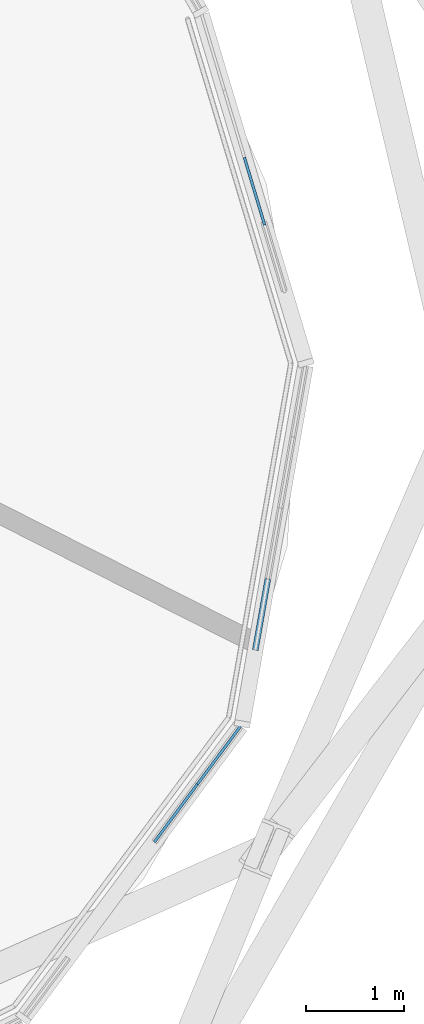
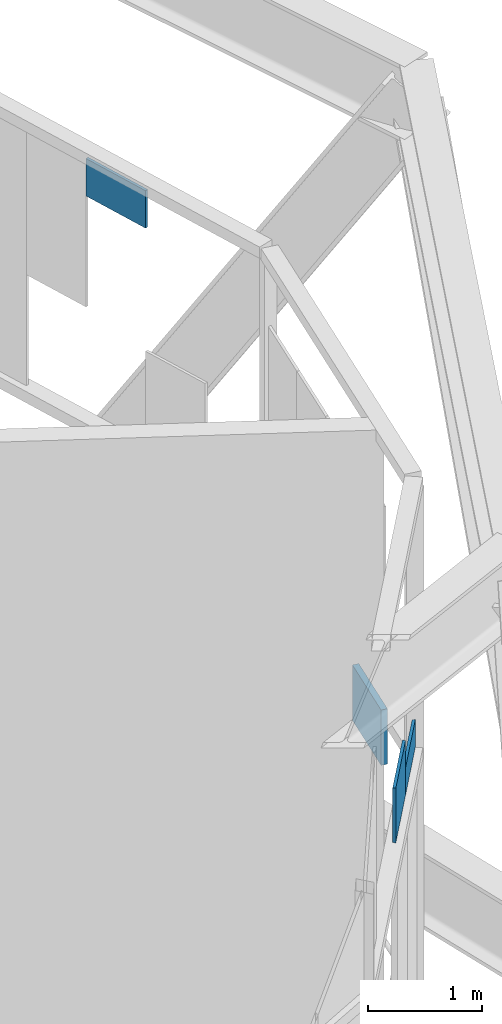
# One storey, part 21 of 29: 4 plates, 1 element without a shape of its own.
"""IFC4 building model written with IfcOpenShell, lengths in metres."""

from ifc_helpers import new_model, si_unit, direction, frame, origin, origin_2d, place, context, subcontext, project, spatial, rectangle, extrude, material, layer, layer_set, type_object, element, aggregate, save


model = new_model("IFC4")

# Units and contexts
model_context = context("Model", 3, precision=1e-05, world=origin(), true_north=direction((0.0, 1.0)))
body_context = subcontext(model_context, "Body", "Model", "MODEL_VIEW")
ifc_project = project(units=[si_unit("LENGTHUNIT", "METRE"), si_unit("AREAUNIT", "SQUARE_METRE"), si_unit("VOLUMEUNIT", "CUBIC_METRE"), si_unit("PLANEANGLEUNIT", "RADIAN"), si_unit("MASSUNIT", "GRAM", prefix="KILO")], contexts=[model_context])

# Site, building, storey
site_placement = place(None, origin())
site = spatial("IfcSite", under=ifc_project, at=site_placement, CompositionType="ELEMENT")
building_placement = place(site_placement, origin())
building = spatial("IfcBuilding", under=site, at=building_placement, Name="Spindle Arch Residences", CompositionType="ELEMENT")
storey_placement = place(building_placement, frame((0.0, 0.0, 69.89990234375)))
storey = spatial("IfcBuildingStorey", under=building, at=storey_placement, Name="L16", CompositionType="ELEMENT", Elevation=69.89990234375)

# Curtain wall, plates
ifc_material_1 = material(Name="Aluminium bronze unitised frame with tinted glass", Category="aluminium")
ifc_layer_1 = layer(ifc_material_1, 0.159912109375)
ifc_layer_set_1 = layer_set([ifc_layer_1], Name="CW-E double-height winter garden wall")
curtain_wall_type = type_object("IfcCurtainWallType", Name="CW-E double-height winter garden wall", PredefinedType="NOTDEFINED", material=ifc_layer_set_1)
curtain_wall_placement = place(storey_placement, origin())
curtain_wall = element("IfcCurtainWall", 1, at=curtain_wall_placement, inside=storey, type_object=curtain_wall_type, Name="CW-E L16 run 1", PredefinedType="NOTDEFINED")
ifc_material_2 = material(Name="Tinted laminated glass 28 mm", Category="glass")
ifc_layer_2 = layer(ifc_material_2, 0.028076171875)
ifc_layer_set_2 = layer_set([ifc_layer_2], Name="Tinted glass panel 28 mm")
plate_type_1 = type_object("IfcPlateType", Name="Tinted glass panel 28 mm", PredefinedType="CURTAIN_PANEL", material=ifc_layer_set_2)
plate_1_placement = place(storey_placement, frame((26.887939453125, -15.736572265625, 3.4599609375), z_axis=(0.0, 0.0, 1.0), x_axis=(0.597158595823, 0.802123189687, 0.0)))
plate_1 = element("IfcPlate", 2, at=plate_1_placement, type_object=plate_type_1, Name="CW-E panel 02b.2", PredefinedType="CURTAIN_PANEL", context=body_context, shape_type="SweptSolid", body=[
    extrude(rectangle(XDim=0.7333984375, YDim=0.028076171875, at=origin_2d()), origin(), (0.0, 0.0, 1.0), 0.583984375),
])
plate_2_placement = place(storey_placement, frame((27.325927734375, -15.1484375, 3.4599609375), z_axis=(0.0, 0.0, 1.0), x_axis=(0.597158595823, 0.802123189687, 0.0)))
plate_2 = element("IfcPlate", 3, at=plate_2_placement, type_object=plate_type_1, Name="CW-E panel 02b.3", PredefinedType="CURTAIN_PANEL", context=body_context, shape_type="SweptSolid", body=[
    extrude(rectangle(XDim=0.7333984375, YDim=0.028076171875, at=origin_2d()), origin(), (0.0, 0.0, 1.0), 0.294189453125),
])
plate_3_placement = place(storey_placement, frame((27.6875, -9.414794921875, 5.830322265625), z_axis=(0.0, 0.0, 1.0), x_axis=(-0.28680323051, 0.957989512975, 0.0)))
plate_3 = element("IfcPlate", 4, at=plate_3_placement, type_object=plate_type_1, Name="CW-E panel 04b.2", PredefinedType="CURTAIN_PANEL", context=body_context, shape_type="SweptSolid", body=[
    extrude(rectangle(XDim=0.716796875, YDim=0.028076171875, at=origin_2d()), origin(), (0.0, 0.0, 1.0), 0.39990234375),
])
ifc_material_3 = material(Name="Tinted double glazing over aluminium faced non-combustible spandrel zone (K0)", Category="aluminium")
ifc_layer_3 = layer(ifc_material_3, 0.06005859375)
ifc_layer_set_3 = layer_set([ifc_layer_3], Name="Unitised glass panel with E 60 spandrel zone")
plate_type_2 = type_object("IfcPlateType", Name="Unitised glass panel with E 60 spandrel zone", PredefinedType="CURTAIN_PANEL", material=ifc_layer_set_3)
plate_4_placement = place(storey_placement, frame((27.759033203125, -13.71728515625, 2.749267578125), z_axis=(0.0, 0.0, 1.0), x_axis=(0.173648181019, 0.984807752421, 0.0)))
plate_4 = element("IfcPlate", 5, at=plate_4_placement, type_object=plate_type_2, Name="CW-E panel 03a.1", PredefinedType="CURTAIN_PANEL", context=body_context, shape_type="SweptSolid", body=[
    extrude(rectangle(XDim=0.7333984375, YDim=0.06005859375, at=origin_2d()), origin(), (0.0, 0.0, 1.0), 0.5908203125),
])
aggregate(curtain_wall, [plate_1, plate_2, plate_4, plate_3])

save(model, "model.ifc")
